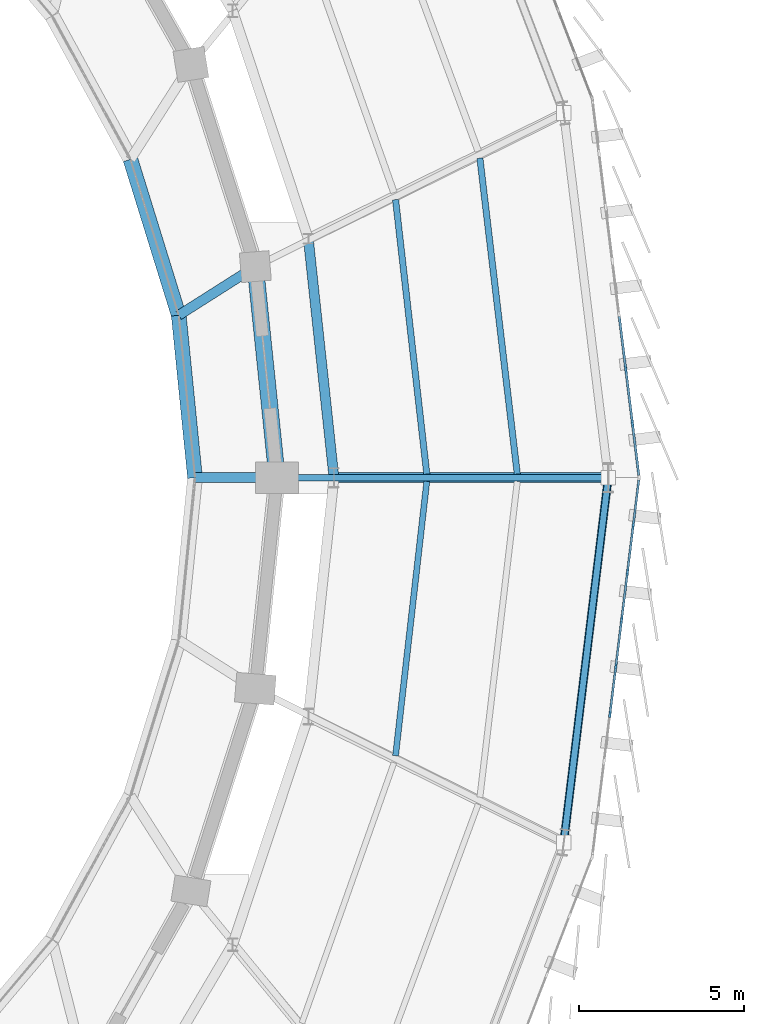
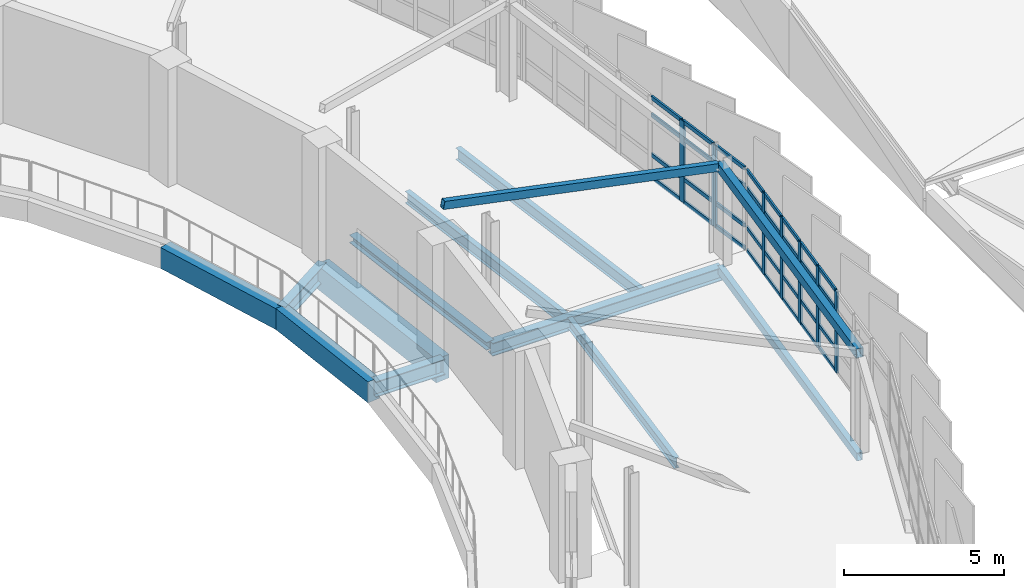
# One storey, part 44 of 87: 41 members, 11 beams, 2 elements without a shape of their own.
"""IFC4 building model written with IfcOpenShell, lengths in metres."""

from ifc_helpers import new_model, si_unit, direction, frame, origin, origin_2d, place, context, subcontext, project, spatial, rectangle, hollow_rectangle, i_section, extrude, material, layer, layer_set, material_profile, profile_set, type_object, element, aggregate, save


model = new_model("IFC4")

# Units and contexts
model_context = context("Model", 3, precision=1e-05, world=origin(), true_north=direction((0.0, 1.0)))
body_context = subcontext(model_context, "Body", "Model", "MODEL_VIEW")
ifc_project = project(units=[si_unit("LENGTHUNIT", "METRE"), si_unit("AREAUNIT", "SQUARE_METRE"), si_unit("VOLUMEUNIT", "CUBIC_METRE"), si_unit("PLANEANGLEUNIT", "RADIAN"), si_unit("MASSUNIT", "GRAM", prefix="KILO")], contexts=[model_context])

# Site, building, storey
site_placement = place(None, origin())
site = spatial("IfcSite", under=ifc_project, at=site_placement, CompositionType="ELEMENT")
building_placement = place(site_placement, origin())
building = spatial("IfcBuilding", under=site, at=building_placement, Name="Sohan Crest Arena", CompositionType="ELEMENT")
storey_placement = place(building_placement, frame((0.0, 0.0, 18.0)))
storey = spatial("IfcBuildingStorey", under=building, at=storey_placement, Name="L04", CompositionType="ELEMENT", Elevation=18.0)

# Curtain wall, members
ifc_material_1 = material(Name="Thermally broken anodised aluminium", Category="aluminium")
ifc_layer_1 = layer(ifc_material_1, 0.18994140625, Name="Thermally broken anodised aluminium")
ifc_layer_set_1 = layer_set([ifc_layer_1], Name="Thermally broken anodised aluminium")
curtain_wall_type_1 = type_object("IfcCurtainWallType", Name="ARC-CW05", PredefinedType="NOTDEFINED", material=ifc_layer_set_1)
curtain_wall_1_placement = place(storey_placement, origin())
curtain_wall_1 = element("IfcCurtainWall", 1, at=curtain_wall_1_placement, inside=storey, type_object=curtain_wall_type_1, Name="Unitised curtain wall CW-134", PredefinedType="NOTDEFINED")
ifc_material_profile_1 = material_profile(ifc_material_1, rectangle(XDim=0.070068359375, YDim=0.199951171875, at=origin_2d()), Name="ALU-MULL 70x200")
ifc_profile_set_1 = profile_set([ifc_material_profile_1], Name="Thermally broken anodised aluminium")
member_type_1 = type_object("IfcMemberType", Name="ARC-CW-ML03", PredefinedType="MULLION", material=ifc_profile_set_1)
member_1_placement = place(storey_placement, frame((188.12841796875, 70.81494140625, 0.0), z_axis=(0.0, 0.0, 1.0), x_axis=(-0.992488933309, 0.122334448372, 0.0)))
member_1 = element("IfcMember", 2, at=member_1_placement, type_object=member_type_1, Name="CW-134 mullion 4", PredefinedType="MULLION", context=body_context, shape_type="SweptSolid", body=[
    extrude(rectangle(XDim=0.070068359375, YDim=0.199951171875, at=origin_2d()), origin(), (0.0, 0.0, 1.0), 3.1201171875),
])
member_2_placement = place(storey_placement, frame((188.305419921875, 72.251953125, 0.0), z_axis=(0.0, 0.0, 1.0), x_axis=(-0.992488933309, 0.122334448372, 0.0)))
member_2 = element("IfcMember", 3, at=member_2_placement, type_object=member_type_1, Name="CW-134 mullion 5", PredefinedType="MULLION", context=body_context, shape_type="SweptSolid", body=[
    extrude(rectangle(XDim=0.070068359375, YDim=0.199951171875, at=origin_2d()), origin(), (0.0, 0.0, 1.0), 3.1201171875),
])
member_3_placement = place(storey_placement, frame((188.482666015625, 73.68896484375, 0.0), z_axis=(0.0, 0.0, 1.0), x_axis=(-0.992488933309, 0.122334448372, 0.0)))
member_3 = element("IfcMember", 4, at=member_3_placement, type_object=member_type_1, Name="CW-134 mullion 6", PredefinedType="MULLION", context=body_context, shape_type="SweptSolid", body=[
    extrude(rectangle(XDim=0.070068359375, YDim=0.199951171875, at=origin_2d()), origin(), (0.0, 0.0, 1.0), 3.1201171875),
])
member_4_placement = place(storey_placement, frame((188.65966796875, 75.1259765625, 0.0), z_axis=(0.0, 0.0, 1.0), x_axis=(-0.992488933309, 0.122334448372, 0.0)))
member_4 = element("IfcMember", 5, at=member_4_placement, type_object=member_type_1, Name="CW-134 mullion 7", PredefinedType="MULLION", context=body_context, shape_type="SweptSolid", body=[
    extrude(rectangle(XDim=0.070068359375, YDim=0.199951171875, at=origin_2d()), origin(), (0.0, 0.0, 1.0), 3.1201171875),
])
member_5_placement = place(storey_placement, frame((188.8369140625, 76.56298828125, 0.0), z_axis=(0.0, 0.0, 1.0), x_axis=(-0.992488933309, 0.122334448372, 0.0)))
member_5 = element("IfcMember", 6, at=member_5_placement, type_object=member_type_1, Name="CW-134 mullion 8", PredefinedType="MULLION", context=body_context, shape_type="SweptSolid", body=[
    extrude(rectangle(XDim=0.070068359375, YDim=0.199951171875, at=origin_2d()), origin(), (0.0, 0.0, 1.0), 3.1201171875),
])

ifc_layer_2 = layer(ifc_material_1, 0.2099609375, Name="Thermally broken anodised aluminium")
ifc_layer_set_2 = layer_set([ifc_layer_2], Name="Thermally broken anodised aluminium")
curtain_wall_type_2 = type_object("IfcCurtainWallType", Name="ARC-CW06", PredefinedType="NOTDEFINED", material=ifc_layer_set_2)
curtain_wall_2_placement = place(storey_placement, origin())
curtain_wall_2 = element("IfcCurtainWall", 7, at=curtain_wall_2_placement, inside=storey, type_object=curtain_wall_type_2, Name="Unitised curtain wall CW-135", PredefinedType="NOTDEFINED")
ifc_material_profile_2 = material_profile(ifc_material_1, rectangle(XDim=0.074951171875, YDim=0.219970703125, at=origin_2d()), Name="ALU-MULL 75x220")
ifc_profile_set_2 = profile_set([ifc_material_profile_2], Name="Thermally broken anodised aluminium")
member_type_2 = type_object("IfcMemberType", Name="ARC-CW-ML04", PredefinedType="MULLION", material=ifc_profile_set_2)
member_6_placement = place(storey_placement, frame((188.8115234375, 79.642333984375, 0.0), z_axis=(0.0, 0.0, 1.0), x_axis=(-0.992488933309, -0.122334448372, 0.0)))
member_6 = element("IfcMember", 8, at=member_6_placement, type_object=member_type_2, Name="CW-135 mullion 2", PredefinedType="MULLION", context=body_context, shape_type="SweptSolid", body=[
    extrude(rectangle(XDim=0.074951171875, YDim=0.219970703125, at=origin_2d()), origin(), (0.0, 0.0, 1.0), 3.1201171875),
])
member_7_placement = place(storey_placement, frame((188.609130859375, 81.28466796875, 0.0), z_axis=(0.0, 0.0, 1.0), x_axis=(-0.992488933309, -0.122334448372, 0.0)))
member_7 = element("IfcMember", 9, at=member_7_placement, type_object=member_type_2, Name="CW-135 mullion 3", PredefinedType="MULLION", context=body_context, shape_type="SweptSolid", body=[
    extrude(rectangle(XDim=0.074951171875, YDim=0.219970703125, at=origin_2d()), origin(), (0.0, 0.0, 1.0), 3.1201171875),
])

# Member
ifc_material_profile_3 = material_profile(ifc_material_1, rectangle(XDim=0.06494140625, YDim=0.139892578125, at=origin_2d()), Name="ALU-TRAN 65x140")
ifc_profile_set_3 = profile_set([ifc_material_profile_3], Name="Thermally broken anodised aluminium")
member_type_3 = type_object("IfcMemberType", Name="ARC-CW-TR02", PredefinedType="USERDEFINED", material=ifc_profile_set_3)
member_8_placement = place(storey_placement, frame((188.132568359375, 70.849853515625, 0.032470703125), z_axis=(0.12244253574, 0.992475604457, 0.0), x_axis=(-0.992475604457, 0.12244253574, 0.0)))
member_8 = element("IfcMember", 10, at=member_8_placement, type_object=member_type_3, Name="CW-134 transom 4.1", ObjectType="TRANSOM", PredefinedType="USERDEFINED", context=body_context, shape_type="SweptSolid", body=[
    extrude(rectangle(XDim=0.06494140625, YDim=0.139892578125, at=origin_2d()), origin(), (0.0, 0.0, 1.0), 1.377685546875),
])

member_9_placement = place(storey_placement, frame((188.132568359375, 70.849853515625, 0.89990234375), z_axis=(0.12244253574, 0.992475604457, 0.0), x_axis=(-0.992475604457, 0.12244253574, 0.0)))
member_9 = element("IfcMember", 11, at=member_9_placement, type_object=member_type_3, Name="CW-134 transom 4.2", ObjectType="TRANSOM", PredefinedType="USERDEFINED", context=body_context, shape_type="SweptSolid", body=[
    extrude(rectangle(XDim=0.06494140625, YDim=0.139892578125, at=origin_2d()), origin(), (0.0, 0.0, 1.0), 1.377685546875),
])

member_10_placement = place(storey_placement, frame((188.132568359375, 70.849853515625, 2.419921875), z_axis=(0.12244253574, 0.992475604457, 0.0), x_axis=(-0.992475604457, 0.12244253574, 0.0)))
member_10 = element("IfcMember", 12, at=member_10_placement, type_object=member_type_3, Name="CW-134 transom 4.3", ObjectType="TRANSOM", PredefinedType="USERDEFINED", context=body_context, shape_type="SweptSolid", body=[
    extrude(rectangle(XDim=0.06494140625, YDim=0.139892578125, at=origin_2d()), origin(), (0.0, 0.0, 1.0), 1.377685546875),
])

member_11_placement = place(storey_placement, frame((188.132568359375, 70.849853515625, 3.08740234375), z_axis=(0.12244253574, 0.992475604457, 0.0), x_axis=(-0.992475604457, 0.12244253574, 0.0)))
member_11 = element("IfcMember", 13, at=member_11_placement, type_object=member_type_3, Name="CW-134 transom 4.4", ObjectType="TRANSOM", PredefinedType="USERDEFINED", context=body_context, shape_type="SweptSolid", body=[
    extrude(rectangle(XDim=0.06494140625, YDim=0.139892578125, at=origin_2d()), origin(), (0.0, 0.0, 1.0), 1.377685546875),
])

member_12_placement = place(storey_placement, frame((188.309814453125, 72.28662109375, 0.032470703125), z_axis=(0.122246490896, 0.992499771014, 0.0), x_axis=(-0.992499771014, 0.122246490896, 0.0)))
member_12 = element("IfcMember", 14, at=member_12_placement, type_object=member_type_3, Name="CW-134 transom 5.1", ObjectType="TRANSOM", PredefinedType="USERDEFINED", context=body_context, shape_type="SweptSolid", body=[
    extrude(rectangle(XDim=0.06494140625, YDim=0.139892578125, at=origin_2d()), origin(), (0.0, 0.0, 1.0), 1.3779296875),
])

member_13_placement = place(storey_placement, frame((188.309814453125, 72.28662109375, 0.89990234375), z_axis=(0.122246490896, 0.992499771014, 0.0), x_axis=(-0.992499771014, 0.122246490896, 0.0)))
member_13 = element("IfcMember", 15, at=member_13_placement, type_object=member_type_3, Name="CW-134 transom 5.2", ObjectType="TRANSOM", PredefinedType="USERDEFINED", context=body_context, shape_type="SweptSolid", body=[
    extrude(rectangle(XDim=0.06494140625, YDim=0.139892578125, at=origin_2d()), origin(), (0.0, 0.0, 1.0), 1.3779296875),
])

member_14_placement = place(storey_placement, frame((188.309814453125, 72.28662109375, 2.419921875), z_axis=(0.122246490896, 0.992499771014, 0.0), x_axis=(-0.992499771014, 0.122246490896, 0.0)))
member_14 = element("IfcMember", 16, at=member_14_placement, type_object=member_type_3, Name="CW-134 transom 5.3", ObjectType="TRANSOM", PredefinedType="USERDEFINED", context=body_context, shape_type="SweptSolid", body=[
    extrude(rectangle(XDim=0.06494140625, YDim=0.139892578125, at=origin_2d()), origin(), (0.0, 0.0, 1.0), 1.3779296875),
])

member_15_placement = place(storey_placement, frame((188.309814453125, 72.28662109375, 3.08740234375), z_axis=(0.122246490896, 0.992499771014, 0.0), x_axis=(-0.992499771014, 0.122246490896, 0.0)))
member_15 = element("IfcMember", 17, at=member_15_placement, type_object=member_type_3, Name="CW-134 transom 5.4", ObjectType="TRANSOM", PredefinedType="USERDEFINED", context=body_context, shape_type="SweptSolid", body=[
    extrude(rectangle(XDim=0.06494140625, YDim=0.139892578125, at=origin_2d()), origin(), (0.0, 0.0, 1.0), 1.3779296875),
])

member_16_placement = place(storey_placement, frame((188.48681640625, 73.7236328125, 0.032470703125), z_axis=(0.122421006404, 0.992478260312, 0.0), x_axis=(-0.992478260312, 0.122421006404, 0.0)))
member_16 = element("IfcMember", 18, at=member_16_placement, type_object=member_type_3, Name="CW-134 transom 6.1", ObjectType="TRANSOM", PredefinedType="USERDEFINED", context=body_context, shape_type="SweptSolid", body=[
    extrude(rectangle(XDim=0.06494140625, YDim=0.139892578125, at=origin_2d()), origin(), (0.0, 0.0, 1.0), 1.3779296875),
])

member_17_placement = place(storey_placement, frame((188.48681640625, 73.7236328125, 0.89990234375), z_axis=(0.122421006404, 0.992478260312, 0.0), x_axis=(-0.992478260312, 0.122421006404, 0.0)))
member_17 = element("IfcMember", 19, at=member_17_placement, type_object=member_type_3, Name="CW-134 transom 6.2", ObjectType="TRANSOM", PredefinedType="USERDEFINED", context=body_context, shape_type="SweptSolid", body=[
    extrude(rectangle(XDim=0.06494140625, YDim=0.139892578125, at=origin_2d()), origin(), (0.0, 0.0, 1.0), 1.3779296875),
])

member_18_placement = place(storey_placement, frame((188.48681640625, 73.7236328125, 2.419921875), z_axis=(0.122421006404, 0.992478260312, 0.0), x_axis=(-0.992478260312, 0.122421006404, 0.0)))
member_18 = element("IfcMember", 20, at=member_18_placement, type_object=member_type_3, Name="CW-134 transom 6.3", ObjectType="TRANSOM", PredefinedType="USERDEFINED", context=body_context, shape_type="SweptSolid", body=[
    extrude(rectangle(XDim=0.06494140625, YDim=0.139892578125, at=origin_2d()), origin(), (0.0, 0.0, 1.0), 1.3779296875),
])

member_19_placement = place(storey_placement, frame((188.48681640625, 73.7236328125, 3.08740234375), z_axis=(0.122421006404, 0.992478260312, 0.0), x_axis=(-0.992478260312, 0.122421006404, 0.0)))
member_19 = element("IfcMember", 21, at=member_19_placement, type_object=member_type_3, Name="CW-134 transom 6.4", ObjectType="TRANSOM", PredefinedType="USERDEFINED", context=body_context, shape_type="SweptSolid", body=[
    extrude(rectangle(XDim=0.06494140625, YDim=0.139892578125, at=origin_2d()), origin(), (0.0, 0.0, 1.0), 1.3779296875),
])

member_20_placement = place(storey_placement, frame((188.6640625, 75.16064453125, 0.032470703125), z_axis=(0.122246490896, 0.992499771014, 0.0), x_axis=(-0.992499771014, 0.122246490896, 0.0)))
member_20 = element("IfcMember", 22, at=member_20_placement, type_object=member_type_3, Name="CW-134 transom 7.1", ObjectType="TRANSOM", PredefinedType="USERDEFINED", context=body_context, shape_type="SweptSolid", body=[
    extrude(rectangle(XDim=0.06494140625, YDim=0.139892578125, at=origin_2d()), origin(), (0.0, 0.0, 1.0), 1.3779296875),
])

member_21_placement = place(storey_placement, frame((188.6640625, 75.16064453125, 0.89990234375), z_axis=(0.122246490896, 0.992499771014, 0.0), x_axis=(-0.992499771014, 0.122246490896, 0.0)))
member_21 = element("IfcMember", 23, at=member_21_placement, type_object=member_type_3, Name="CW-134 transom 7.2", ObjectType="TRANSOM", PredefinedType="USERDEFINED", context=body_context, shape_type="SweptSolid", body=[
    extrude(rectangle(XDim=0.06494140625, YDim=0.139892578125, at=origin_2d()), origin(), (0.0, 0.0, 1.0), 1.3779296875),
])

member_22_placement = place(storey_placement, frame((188.6640625, 75.16064453125, 2.419921875), z_axis=(0.122246490896, 0.992499771014, 0.0), x_axis=(-0.992499771014, 0.122246490896, 0.0)))
member_22 = element("IfcMember", 24, at=member_22_placement, type_object=member_type_3, Name="CW-134 transom 7.3", ObjectType="TRANSOM", PredefinedType="USERDEFINED", context=body_context, shape_type="SweptSolid", body=[
    extrude(rectangle(XDim=0.06494140625, YDim=0.139892578125, at=origin_2d()), origin(), (0.0, 0.0, 1.0), 1.3779296875),
])

member_23_placement = place(storey_placement, frame((188.6640625, 75.16064453125, 3.08740234375), z_axis=(0.122246490896, 0.992499771014, 0.0), x_axis=(-0.992499771014, 0.122246490896, 0.0)))
member_23 = element("IfcMember", 25, at=member_23_placement, type_object=member_type_3, Name="CW-134 transom 7.4", ObjectType="TRANSOM", PredefinedType="USERDEFINED", context=body_context, shape_type="SweptSolid", body=[
    extrude(rectangle(XDim=0.06494140625, YDim=0.139892578125, at=origin_2d()), origin(), (0.0, 0.0, 1.0), 1.3779296875),
])

member_24_placement = place(storey_placement, frame((188.841064453125, 76.59765625, 0.032470703125), z_axis=(0.12235633565, 0.992486235233, 0.0), x_axis=(-0.992486235233, 0.12235633565, 0.0)))
member_24 = element("IfcMember", 26, at=member_24_placement, type_object=member_type_3, Name="CW-134 transom 8.1", ObjectType="TRANSOM", PredefinedType="USERDEFINED", context=body_context, shape_type="SweptSolid", body=[
    extrude(rectangle(XDim=0.06494140625, YDim=0.139892578125, at=origin_2d()), origin(), (0.0, 0.0, 1.0), 1.3427734375),
])

member_25_placement = place(storey_placement, frame((188.841064453125, 76.59765625, 0.89990234375), z_axis=(0.12235633565, 0.992486235233, 0.0), x_axis=(-0.992486235233, 0.12235633565, 0.0)))
member_25 = element("IfcMember", 27, at=member_25_placement, type_object=member_type_3, Name="CW-134 transom 8.2", ObjectType="TRANSOM", PredefinedType="USERDEFINED", context=body_context, shape_type="SweptSolid", body=[
    extrude(rectangle(XDim=0.06494140625, YDim=0.139892578125, at=origin_2d()), origin(), (0.0, 0.0, 1.0), 1.3427734375),
])

member_26_placement = place(storey_placement, frame((188.841064453125, 76.59765625, 2.419921875), z_axis=(0.12235633565, 0.992486235233, 0.0), x_axis=(-0.992486235233, 0.12235633565, 0.0)))
member_26 = element("IfcMember", 28, at=member_26_placement, type_object=member_type_3, Name="CW-134 transom 8.3", ObjectType="TRANSOM", PredefinedType="USERDEFINED", context=body_context, shape_type="SweptSolid", body=[
    extrude(rectangle(XDim=0.06494140625, YDim=0.139892578125, at=origin_2d()), origin(), (0.0, 0.0, 1.0), 1.3427734375),
])

member_27_placement = place(storey_placement, frame((188.841064453125, 76.59765625, 3.08740234375), z_axis=(0.12235633565, 0.992486235233, 0.0), x_axis=(-0.992486235233, 0.12235633565, 0.0)))
member_27 = element("IfcMember", 29, at=member_27_placement, type_object=member_type_3, Name="CW-134 transom 8.4", ObjectType="TRANSOM", PredefinedType="USERDEFINED", context=body_context, shape_type="SweptSolid", body=[
    extrude(rectangle(XDim=0.06494140625, YDim=0.139892578125, at=origin_2d()), origin(), (0.0, 0.0, 1.0), 1.3427734375),
])

aggregate(curtain_wall_1, [member_1, member_2, member_3, member_4, member_5, member_8, member_9, member_10, member_11, member_12, member_13, member_14, member_15, member_16, member_17, member_18, member_19, member_20, member_21, member_22, member_23, member_24, member_25, member_26, member_27])

ifc_material_profile_4 = material_profile(ifc_material_1, rectangle(XDim=0.070068359375, YDim=0.14990234375, at=origin_2d()), Name="ALU-TRAN 70x150")
ifc_profile_set_4 = profile_set([ifc_material_profile_4], Name="Thermally broken anodised aluminium")
member_type_4 = type_object("IfcMemberType", Name="ARC-CW-TR03", PredefinedType="USERDEFINED", material=ifc_profile_set_4)
member_28_placement = place(storey_placement, frame((189.0048828125, 78.074462890625, 0.034912109375), z_axis=(-0.122378332022, 0.992483523214, 0.0), x_axis=(-0.992483523214, -0.122378332022, 0.0)))
member_28 = element("IfcMember", 30, at=member_28_placement, type_object=member_type_4, Name="CW-135 transom 1.1", ObjectType="TRANSOM", PredefinedType="USERDEFINED", context=body_context, shape_type="SweptSolid", body=[
    extrude(rectangle(XDim=0.070068359375, YDim=0.14990234375, at=origin_2d()), origin(), (0.0, 0.0, 1.0), 1.5419921875),
])

member_29_placement = place(storey_placement, frame((189.0048828125, 78.074462890625, 0.89990234375), z_axis=(-0.122378332022, 0.992483523214, 0.0), x_axis=(-0.992483523214, -0.122378332022, 0.0)))
member_29 = element("IfcMember", 31, at=member_29_placement, type_object=member_type_4, Name="CW-135 transom 1.2", ObjectType="TRANSOM", PredefinedType="USERDEFINED", context=body_context, shape_type="SweptSolid", body=[
    extrude(rectangle(XDim=0.070068359375, YDim=0.14990234375, at=origin_2d()), origin(), (0.0, 0.0, 1.0), 1.5419921875),
])

member_30_placement = place(storey_placement, frame((189.0048828125, 78.074462890625, 2.419921875), z_axis=(-0.122378332022, 0.992483523214, 0.0), x_axis=(-0.992483523214, -0.122378332022, 0.0)))
member_30 = element("IfcMember", 32, at=member_30_placement, type_object=member_type_4, Name="CW-135 transom 1.3", ObjectType="TRANSOM", PredefinedType="USERDEFINED", context=body_context, shape_type="SweptSolid", body=[
    extrude(rectangle(XDim=0.070068359375, YDim=0.14990234375, at=origin_2d()), origin(), (0.0, 0.0, 1.0), 1.5419921875),
])

member_31_placement = place(storey_placement, frame((189.0048828125, 78.074462890625, 3.0849609375), z_axis=(-0.122378332022, 0.992483523214, 0.0), x_axis=(-0.992483523214, -0.122378332022, 0.0)))
member_31 = element("IfcMember", 33, at=member_31_placement, type_object=member_type_4, Name="CW-135 transom 1.4", ObjectType="TRANSOM", PredefinedType="USERDEFINED", context=body_context, shape_type="SweptSolid", body=[
    extrude(rectangle(XDim=0.070068359375, YDim=0.14990234375, at=origin_2d()), origin(), (0.0, 0.0, 1.0), 1.5419921875),
])

member_32_placement = place(storey_placement, frame((188.806884765625, 79.679443359375, 0.034912109375), z_axis=(-0.122246545247, 0.99249976432, 0.0), x_axis=(-0.99249976432, -0.122246545247, 0.0)))
member_32 = element("IfcMember", 34, at=member_32_placement, type_object=member_type_4, Name="CW-135 transom 2.1", ObjectType="TRANSOM", PredefinedType="USERDEFINED", context=body_context, shape_type="SweptSolid", body=[
    extrude(rectangle(XDim=0.070068359375, YDim=0.14990234375, at=origin_2d()), origin(), (0.0, 0.0, 1.0), 1.579833984375),
])

member_33_placement = place(storey_placement, frame((188.806884765625, 79.679443359375, 0.89990234375), z_axis=(-0.122246545247, 0.99249976432, 0.0), x_axis=(-0.99249976432, -0.122246545247, 0.0)))
member_33 = element("IfcMember", 35, at=member_33_placement, type_object=member_type_4, Name="CW-135 transom 2.2", ObjectType="TRANSOM", PredefinedType="USERDEFINED", context=body_context, shape_type="SweptSolid", body=[
    extrude(rectangle(XDim=0.070068359375, YDim=0.14990234375, at=origin_2d()), origin(), (0.0, 0.0, 1.0), 1.579833984375),
])

member_34_placement = place(storey_placement, frame((188.806884765625, 79.679443359375, 2.419921875), z_axis=(-0.122246545247, 0.99249976432, 0.0), x_axis=(-0.99249976432, -0.122246545247, 0.0)))
member_34 = element("IfcMember", 36, at=member_34_placement, type_object=member_type_4, Name="CW-135 transom 2.3", ObjectType="TRANSOM", PredefinedType="USERDEFINED", context=body_context, shape_type="SweptSolid", body=[
    extrude(rectangle(XDim=0.070068359375, YDim=0.14990234375, at=origin_2d()), origin(), (0.0, 0.0, 1.0), 1.579833984375),
])

member_35_placement = place(storey_placement, frame((188.806884765625, 79.679443359375, 3.0849609375), z_axis=(-0.122246545247, 0.99249976432, 0.0), x_axis=(-0.99249976432, -0.122246545247, 0.0)))
member_35 = element("IfcMember", 37, at=member_35_placement, type_object=member_type_4, Name="CW-135 transom 2.4", ObjectType="TRANSOM", PredefinedType="USERDEFINED", context=body_context, shape_type="SweptSolid", body=[
    extrude(rectangle(XDim=0.070068359375, YDim=0.14990234375, at=origin_2d()), origin(), (0.0, 0.0, 1.0), 1.579833984375),
])

member_36_placement = place(storey_placement, frame((188.6044921875, 81.32177734375, 0.034912109375), z_axis=(-0.122246545247, 0.99249976432, 0.0), x_axis=(-0.99249976432, -0.122246545247, 0.0)))
member_36 = element("IfcMember", 38, at=member_36_placement, type_object=member_type_4, Name="CW-135 transom 3.1", ObjectType="TRANSOM", PredefinedType="USERDEFINED", context=body_context, shape_type="SweptSolid", body=[
    extrude(rectangle(XDim=0.070068359375, YDim=0.14990234375, at=origin_2d()), origin(), (0.0, 0.0, 1.0), 1.579833984375),
])

member_37_placement = place(storey_placement, frame((188.6044921875, 81.32177734375, 0.89990234375), z_axis=(-0.122246545247, 0.99249976432, 0.0), x_axis=(-0.99249976432, -0.122246545247, 0.0)))
member_37 = element("IfcMember", 39, at=member_37_placement, type_object=member_type_4, Name="CW-135 transom 3.2", ObjectType="TRANSOM", PredefinedType="USERDEFINED", context=body_context, shape_type="SweptSolid", body=[
    extrude(rectangle(XDim=0.070068359375, YDim=0.14990234375, at=origin_2d()), origin(), (0.0, 0.0, 1.0), 1.579833984375),
])

member_38_placement = place(storey_placement, frame((188.6044921875, 81.32177734375, 2.419921875), z_axis=(-0.122246545247, 0.99249976432, 0.0), x_axis=(-0.99249976432, -0.122246545247, 0.0)))
member_38 = element("IfcMember", 40, at=member_38_placement, type_object=member_type_4, Name="CW-135 transom 3.3", ObjectType="TRANSOM", PredefinedType="USERDEFINED", context=body_context, shape_type="SweptSolid", body=[
    extrude(rectangle(XDim=0.070068359375, YDim=0.14990234375, at=origin_2d()), origin(), (0.0, 0.0, 1.0), 1.579833984375),
])

member_39_placement = place(storey_placement, frame((188.6044921875, 81.32177734375, 3.0849609375), z_axis=(-0.122246545247, 0.99249976432, 0.0), x_axis=(-0.99249976432, -0.122246545247, 0.0)))
member_39 = element("IfcMember", 41, at=member_39_placement, type_object=member_type_4, Name="CW-135 transom 3.4", ObjectType="TRANSOM", PredefinedType="USERDEFINED", context=body_context, shape_type="SweptSolid", body=[
    extrude(rectangle(XDim=0.070068359375, YDim=0.14990234375, at=origin_2d()), origin(), (0.0, 0.0, 1.0), 1.579833984375),
])

aggregate(curtain_wall_2, [member_6, member_7, member_28, member_29, member_30, member_31, member_32, member_33, member_34, member_35, member_36, member_37, member_38, member_39])

# Beams
ifc_material_2 = material(Name="Steel S355", Category="steel")
ifc_material_profile_5 = material_profile(ifc_material_2, i_section(OverallWidth=0.179931640625, OverallDepth=0.39990234375, WebThickness=0.008544921875, FlangeThickness=0.013427734375, at=origin_2d()), Name="IPE 400")
ifc_profile_set_5 = profile_set([ifc_material_profile_5], Name="Steel S355")
beam_type_1 = type_object("IfcBeamType", Name="STR-BM-B03", PredefinedType="JOIST", material=ifc_profile_set_5)
beam_1_placement = place(storey_placement, frame((181.6201171875, 69.55908203125, -0.449951171875), z_axis=(0.11316313726, 0.993576420999, 0.0), x_axis=(-0.993576420999, 0.11316313726, 0.0)))
element("IfcBeam", 42, at=beam_1_placement, inside=storey, type_object=beam_type_1, Name="Structural beam J-L04-1652", PredefinedType="JOIST", context=body_context, shape_type="SweptSolid", body=[
    extrude(i_section(OverallWidth=0.179931640625, OverallDepth=0.39990234375, WebThickness=0.008544921875, FlangeThickness=0.013427734375, at=origin_2d()), origin(), (0.0, 0.0, 1.0), 8.385986328125),
])
ifc_material_profile_6 = material_profile(ifc_material_2, i_section(OverallWidth=0.18994140625, OverallDepth=0.449951171875, WebThickness=0.009521484375, FlangeThickness=0.0146484375, at=origin_2d()), Name="IPE 450")
ifc_profile_set_6 = profile_set([ifc_material_profile_6], Name="Steel S355")
beam_type_2 = type_object("IfcBeamType", Name="STR-BM-B04", PredefinedType="JOIST", material=ifc_profile_set_6)
beam_2_placement = place(storey_placement, frame((182.569091796875, 78.10888671875, -0.47509765625), z_axis=(-0.11316313726, 0.993576420999, 0.0), x_axis=(-0.993576420999, -0.11316313726, 0.0)))
element("IfcBeam", 43, at=beam_2_placement, inside=storey, type_object=beam_type_2, Name="Structural beam J-L04-1657", PredefinedType="JOIST", context=body_context, shape_type="SweptSolid", body=[
    extrude(i_section(OverallWidth=0.18994140625, OverallDepth=0.449951171875, WebThickness=0.009521484375, FlangeThickness=0.0146484375, at=origin_2d()), origin(), (0.0, 0.0, 1.0), 8.385986328125),
])
beam_3_placement = place(storey_placement, frame((185.31591796875, 78.10888671875, -0.47509765625), z_axis=(-0.117608198901, 0.993060074493, 0.0), x_axis=(-0.993060074493, -0.117608198901, 0.0)))
element("IfcBeam", 44, at=beam_3_placement, inside=storey, type_object=beam_type_2, Name="Structural beam J-L04-1658", PredefinedType="JOIST", context=body_context, shape_type="SweptSolid", body=[
    extrude(i_section(OverallWidth=0.18994140625, OverallDepth=0.449951171875, WebThickness=0.009521484375, FlangeThickness=0.0146484375, at=origin_2d()), origin(), (0.0, 0.0, 1.0), 9.6591796875),
])
ifc_material_profile_7 = material_profile(ifc_material_2, i_section(OverallWidth=0.300048828125, OverallDepth=0.590087890625, WebThickness=0.012939453125, FlangeThickness=0.02490234375, at=origin_2d()), Name="HEA 600")
ifc_profile_set_7 = profile_set([ifc_material_profile_7], Name="Steel S355")
beam_type_3 = type_object("IfcBeamType", Name="STR-BM-B11", PredefinedType="BEAM", material=ifc_profile_set_7)
beam_4_placement = place(storey_placement, frame((175.531982421875, 78.0, -0.544921875), z_axis=(1.0, 0.0, 0.0), x_axis=(0.0, 1.0, 0.0)))
element("IfcBeam", 45, at=beam_4_placement, inside=storey, type_object=beam_type_3, Name="Structural beam G-L04-0588", PredefinedType="BEAM", context=body_context, shape_type="SweptSolid", body=[
    extrude(i_section(OverallWidth=0.300048828125, OverallDepth=0.590087890625, WebThickness=0.012939453125, FlangeThickness=0.02490234375, at=origin_2d()), origin(), (0.0, 0.0, 1.0), 2.490966796875),
])
beam_5_placement = place(storey_placement, frame((175.037109375, 82.929931640625, -0.544921875), z_axis=(0.84416826172, 0.536078302027, 0.0), x_axis=(-0.536078302027, 0.84416826172, 0.0)))
element("IfcBeam", 46, at=beam_5_placement, inside=storey, type_object=beam_type_3, Name="Structural beam G-L04-0611", PredefinedType="BEAM", context=body_context, shape_type="SweptSolid", body=[
    extrude(i_section(OverallWidth=0.300048828125, OverallDepth=0.590087890625, WebThickness=0.012939453125, FlangeThickness=0.02490234375, at=origin_2d()), origin(), (0.0, 0.0, 1.0), 2.75537109375),
])
ifc_material_profile_8 = material_profile(ifc_material_2, i_section(OverallWidth=0.300048828125, OverallDepth=0.300048828125, WebThickness=0.010986328125, FlangeThickness=0.01904296875, at=origin_2d()), Name="HEB 300")
ifc_profile_set_8 = profile_set([ifc_material_profile_8], Name="Steel S355")
beam_type_4 = type_object("IfcBeamType", Name="STR-BM-B12", PredefinedType="BEAM", material=ifc_profile_set_8)
beam_6_placement = place(storey_placement, frame((179.75, 78.0, -0.39990234375), z_axis=(-0.106679679342, 0.994293440598, 0.0), x_axis=(-0.994293440598, -0.106679679342, 0.0)))
element("IfcBeam", 47, at=beam_6_placement, inside=storey, type_object=beam_type_4, Name="Structural beam G-L04-1655", PredefinedType="BEAM", context=body_context, shape_type="SweptSolid", body=[
    extrude(i_section(OverallWidth=0.300048828125, OverallDepth=0.300048828125, WebThickness=0.010986328125, FlangeThickness=0.01904296875, at=origin_2d()), origin(), (0.0, 0.0, 1.0), 7.29345703125),
])
ifc_material_profile_9 = material_profile(ifc_material_2, i_section(OverallWidth=0.300048828125, OverallDepth=0.5, WebThickness=0.014404296875, FlangeThickness=0.028076171875, at=origin_2d()), Name="HEB 500")
ifc_profile_set_9 = profile_set([ifc_material_profile_9], Name="Steel S355")
beam_type_5 = type_object("IfcBeamType", Name="STR-BM-B14", PredefinedType="BEAM", material=ifc_profile_set_9)
beam_7_placement = place(storey_placement, frame((179.75, 78.0, -0.5), z_axis=(1.0, 0.0, 0.0), x_axis=(0.0, 1.0, 0.0)))
element("IfcBeam", 48, at=beam_7_placement, inside=storey, type_object=beam_type_5, Name="Structural beam G-L04-1654", PredefinedType="BEAM", context=body_context, shape_type="SweptSolid", body=[
    extrude(i_section(OverallWidth=0.300048828125, OverallDepth=0.5, WebThickness=0.014404296875, FlangeThickness=0.028076171875, at=origin_2d()), origin(), (0.0, 0.0, 1.0), 8.326904296875),
])
ifc_material_profile_10 = material_profile(ifc_material_2, hollow_rectangle(XDim=0.199951171875, YDim=0.300048828125, WallThickness=0.010009765625, at=origin_2d()), Name="RHS 300x200x10")
ifc_profile_set_10 = profile_set([ifc_material_profile_10], Name="Steel S355")
beam_type_6 = type_object("IfcBeamType", Name="STR-BM-SP03", PredefinedType="SPANDREL", material=ifc_profile_set_10)
beam_8_placement = place(storey_placement, frame((186.72509765625, 66.929931640625, -0.39990234375), z_axis=(0.121213260401, 0.992626488415, 0.0), x_axis=(-0.992626488415, 0.121213260401, 0.0)))
element("IfcBeam", 49, at=beam_8_placement, inside=storey, type_object=beam_type_6, Name="Structural beam SP-L04-1651", PredefinedType="SPANDREL", context=body_context, shape_type="SweptSolid", body=[
    extrude(hollow_rectangle(XDim=0.199951171875, YDim=0.300048828125, WallThickness=0.010009765625, at=origin_2d()), origin(), (0.0, 0.0, 1.0), 11.15234375),
])
ifc_material_3 = material(Name="Concrete C40/50", Category="concrete")
ifc_material_profile_11 = material_profile(ifc_material_3, rectangle(XDim=0.449951171875, YDim=0.800048828125, at=origin_2d()), Name="RC-BM 450x800")
ifc_profile_set_11 = profile_set([ifc_material_profile_11], Name="Concrete C40/50")
beam_type_7 = type_object("IfcBeamType", Name="STR-BM-TB02", PredefinedType="BEAM", material=ifc_profile_set_11)
beam_9_placement = place(storey_placement, frame((175.531982421875, 78.0, -0.64990234375), z_axis=(-0.099879368849, 0.994999553607, 0.0), x_axis=(-0.994999553607, -0.099879368849, 0.0)))
element("IfcBeam", 50, at=beam_9_placement, inside=storey, type_object=beam_type_7, Name="Structural beam TB-L04-0586", PredefinedType="BEAM", context=body_context, shape_type="SweptSolid", body=[
    extrude(rectangle(XDim=0.449951171875, YDim=0.800048828125, at=origin_2d()), origin(), (0.0, 0.0, 1.0), 4.95458984375),
])
beam_10_placement = place(storey_placement, frame((175.037109375, 82.929931640625, -0.64990234375), z_axis=(-0.295819661295, 0.955243805524, 0.0), x_axis=(-0.955243805524, -0.295819661295, 0.0)))
element("IfcBeam", 51, at=beam_10_placement, inside=storey, type_object=beam_type_7, Name="Structural beam TB-L04-0609", PredefinedType="BEAM", context=body_context, shape_type="SweptSolid", body=[
    extrude(rectangle(XDim=0.449951171875, YDim=0.800048828125, at=origin_2d()), origin(), (0.0, 0.0, 1.0), 4.9560546875),
])
ifc_material_profile_12 = material_profile(ifc_material_3, rectangle(XDim=0.5, YDim=0.89990234375, at=origin_2d()), Name="RC-BM 500x900")
ifc_profile_set_12 = profile_set([ifc_material_profile_12], Name="Concrete C40/50")
beam_type_8 = type_object("IfcBeamType", Name="STR-BM-TB03", PredefinedType="BEAM", material=ifc_profile_set_12)
beam_11_placement = place(storey_placement, frame((178.02294921875, 78.0, -0.699951171875), z_axis=(-0.102456857996, 0.994737448903, 0.0), x_axis=(-0.994737448903, -0.102456857996, 0.0)))
element("IfcBeam", 52, at=beam_11_placement, inside=storey, type_object=beam_type_8, Name="Structural beam TB-L04-0587", PredefinedType="BEAM", context=body_context, shape_type="SweptSolid", body=[
    extrude(rectangle(XDim=0.5, YDim=0.89990234375, at=origin_2d()), origin(), (0.0, 0.0, 1.0), 6.44091796875),
])

# Members
ifc_material_profile_13 = material_profile(ifc_material_2, hollow_rectangle(XDim=0.199951171875, YDim=0.300048828125, WallThickness=0.010009765625, at=origin_2d()), Name="RHS 300x200x10")
ifc_profile_set_13 = profile_set([ifc_material_profile_13], Name="Steel S355")
member_type_5 = type_object("IfcMemberType", Name="STR-MEM-CH03", PredefinedType="CHORD", material=ifc_profile_set_13)
member_40_placement = place(storey_placement, frame((178.02294921875, 78.0, 5.60009765625), z_axis=(0.979838008106, 0.0, -0.199793588161), x_axis=(0.0, 1.0, 0.0)))
element("IfcMember", 53, at=member_40_placement, inside=storey, type_object=member_type_5, Name="Outer roof-edge radial tie chord ORT-24", PredefinedType="CHORD", context=body_context, shape_type="SweptSolid", body=[
    extrude(hollow_rectangle(XDim=0.199951171875, YDim=0.300048828125, WallThickness=0.010009765625, at=origin_2d()), origin(), (0.0, 0.0, 1.0), 10.2607421875),
])
ifc_material_profile_14 = material_profile(ifc_material_2, hollow_rectangle(XDim=0.25, YDim=0.35009765625, WallThickness=0.012451171875, at=origin_2d()), Name="RHS 350x250x12.5")
ifc_profile_set_14 = profile_set([ifc_material_profile_14], Name="Steel S355")
member_type_6 = type_object("IfcMemberType", Name="STR-MEM-CH04", PredefinedType="CHORD", material=ifc_profile_set_14)
member_41_placement = place(storey_placement, frame((186.72509765625, 66.929931640625, 3.56396484375), z_axis=(0.121213166034, 0.992625715634, -0.001247814785), x_axis=(-0.992626488415, 0.121213260401, 0.0)))
element("IfcMember", 54, at=member_41_placement, inside=storey, type_object=member_type_6, Name="Outer roof-edge truss chord ORB-23", PredefinedType="CHORD", context=body_context, shape_type="SweptSolid", body=[
    extrude(hollow_rectangle(XDim=0.25, YDim=0.35009765625, WallThickness=0.012451171875, at=origin_2d()), origin(), (0.0, 0.0, 1.0), 11.15234375),
])

save(model, "model.ifc")
